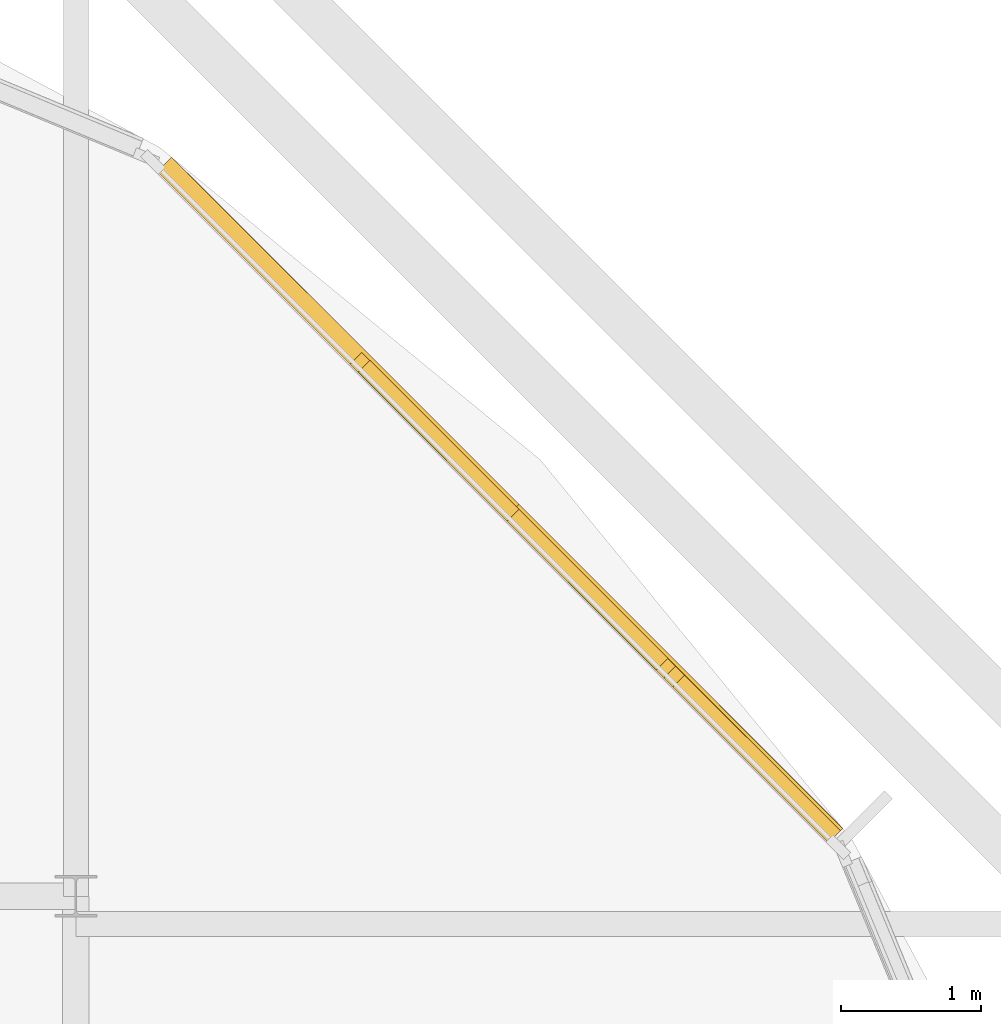
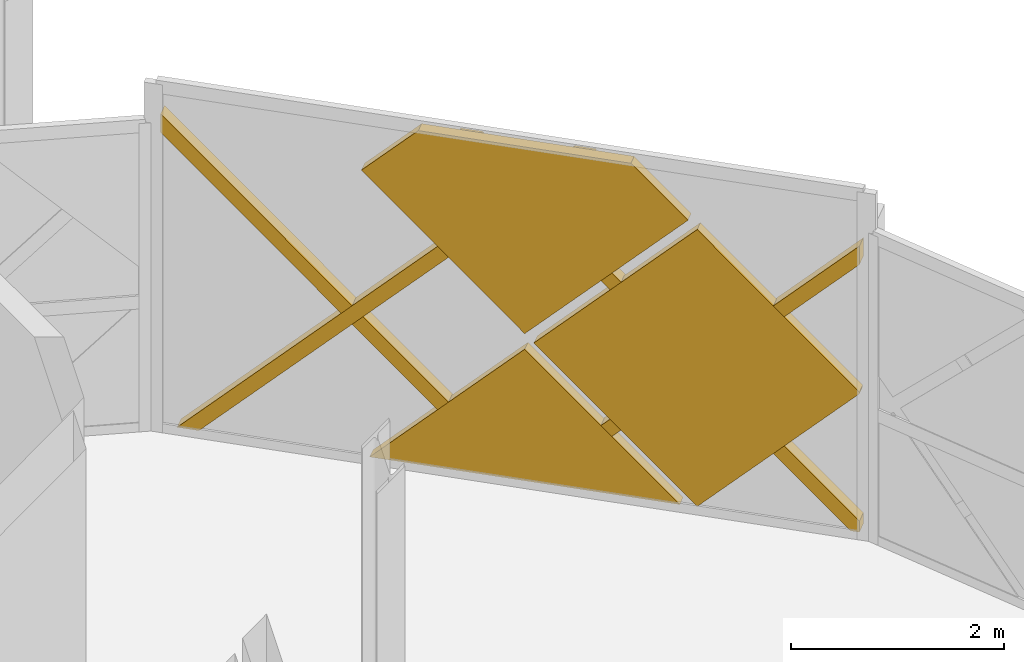
# One storey, part 15 of 15: 7 coverings.
"""IFC4 building model written with IfcOpenShell, lengths in metres."""

from ifc_helpers import new_model, si_unit, direction, frame, origin, place, context, subcontext, project, spatial, polyline, outline, extrude, material, layer, layer_set, type_object, element, save


model = new_model("IFC4")

# Units and contexts
model_context = context("Model", 3, precision=1e-05, world=origin(), true_north=direction((0.0, 1.0)))
body_context = subcontext(model_context, "Body", "Model", "MODEL_VIEW")
ifc_project = project(units=[si_unit("LENGTHUNIT", "METRE"), si_unit("AREAUNIT", "SQUARE_METRE"), si_unit("VOLUMEUNIT", "CUBIC_METRE"), si_unit("PLANEANGLEUNIT", "RADIAN"), si_unit("MASSUNIT", "GRAM", prefix="KILO")], contexts=[model_context])

# Site, building, storey
site_placement = place(None, origin())
site = spatial("IfcSite", under=ifc_project, at=site_placement, CompositionType="ELEMENT")
building_placement = place(site_placement, origin())
building = spatial("IfcBuilding", under=site, at=building_placement, Name="Zevrakil Square Congress Hotel", CompositionType="ELEMENT")
storey_placement = place(building_placement, frame((0.0, 0.0, 41.89990234375)))
storey = spatial("IfcBuildingStorey", under=building, at=storey_placement, Name="L12", CompositionType="ELEMENT", Elevation=41.89990234375)

# Coverings
ifc_material_1 = material(Name="Architectural White Fibre-C GRC", Category="concrete")
ifc_layer_1 = layer(ifc_material_1, 0.06494140625)
ifc_layer_set_1 = layer_set([ifc_layer_1], Name="Architectural White Fibre-C GRC")
covering_type_1 = type_object("IfcCoveringType", Name="COV-DIA-WHITE", PredefinedType="CLADDING", material=ifc_layer_set_1)
covering_1_placement = place(storey_placement, frame((159.175537109375, 41.373779296875, 1.590087890625), z_axis=(0.707106665659, 0.707106665659, 0.000571630288), x_axis=(-0.499716692516, 0.500288319938, -0.707103121302)))
element("IfcCovering", 1, at=covering_1_placement, inside=storey, type_object=covering_type_1, Name="L12 45-degree white GRC diamond facade cassette 3404", PredefinedType="CLADDING", context=body_context, shape_type="SweptSolid", body=[
    extrude(outline(polyline([(0.0, 0.0), (2.1354873428434074, 0.0), (-2.1408116838594893e-05, -2.1354873427360994), (0.0, 0.0)])), origin(), (0.0, 0.0, -1.0), 0.1201171875),
])
covering_2_placement = place(storey_placement, frame((160.36279296875, 40.18505859375, 3.27001953125), z_axis=(0.707106535052, 0.707106776731, 0.000595304733), x_axis=(-0.49971979827, 0.50031491144, -0.707082111645)))
element("IfcCovering", 2, at=covering_2_placement, inside=storey, type_object=covering_type_1, Name="L12 45-degree white GRC diamond facade cassette 3405", PredefinedType="CLADDING", context=body_context, shape_type="SweptSolid", body=[
    extrude(outline(polyline([(0.0, 0.0), (2.2484571129354602, 2.220446049250313e-16), (2.248351503892669, -2.248751740375009), (0.014001960771372168, -2.2484554927411113), (-0.00015349165902200923, -2.2342990575991526), (0.0, 0.0)])), origin(), (0.0, 0.0, -1.0), 0.1201171875),
])
covering_3_placement = place(storey_placement, frame((158.050537109375, 42.497314453125, 3.360107421875), z_axis=(0.707106665573, 0.707106665573, 0.000571843077), x_axis=(0.500292044309, -0.499720208238, -0.707098001609)))
element("IfcCovering", 3, at=covering_3_placement, inside=storey, type_object=covering_type_1, Name="L12 45-degree white GRC diamond facade cassette 3406", PredefinedType="CLADDING", context=body_context, shape_type="SweptSolid", body=[
    extrude(outline(polyline([(0.0, 0.0), (2.248751743939442, 2.220446049250313e-16), (2.2488068501481515, -2.248751743264246), (1.4638327213421687, -2.2485792378886744), (0.00019174135756677702, -0.7849741243430054), (0.0, 0.0)])), origin(), (0.0, 0.0, -1.0), 0.1201171875),
])
ifc_material_2 = material(Name="Anodised Champagne Aluminium", Category="aluminium")
ifc_layer_2 = layer(ifc_material_2, 0.0849609375)
ifc_layer_set_2 = layer_set([ifc_layer_2], Name="Anodised Champagne Aluminium")
covering_type_2 = type_object("IfcCoveringType", Name="COV-DIAGRID-45", PredefinedType="MOLDING", material=ifc_layer_set_2)
covering_4_placement = place(storey_placement, frame((161.438232421875, 39.147705078125, 0.080078125), z_axis=(0.706982462307, 0.70723095629, 0.000415278145), x_axis=(0.707231017251, -0.70698252329, 7.2969e-08)))
element("IfcCovering", 4, at=covering_4_placement, inside=storey, type_object=covering_type_2, Name="L12 45-degree aluminium diagrid rib 3407", PredefinedType="MOLDING", context=body_context, shape_type="SweptSolid", body=[
    extrude(outline(polyline([(0.0, 0.0), (0.08597147744014094, 0.0), (0.08597148665037267, -0.12622069224124433), (-3.6227138777198644, -3.834961538801007), (-3.8350530689876825, -3.834961538801007), (0.0, 0.0)])), origin(), (0.0, 0.0, -1.0), 0.14501953125),
])
covering_5_placement = place(storey_placement, frame((159.0625, 41.523681640625, 0.080078125), z_axis=(0.707174141017, 0.707039050196, 0.000718174092), x_axis=(0.707039232271, -0.70717432365, 5.15754e-07)))
element("IfcCovering", 5, at=covering_5_placement, inside=storey, type_object=covering_type_2, Name="L12 45-degree aluminium diagrid rib 3408", PredefinedType="MOLDING", context=body_context, shape_type="SweptSolid", body=[
    extrude(outline(polyline([(0.0, 0.0), (0.21216657657689003, 1.3552527156068805e-20), (-3.359618306229469, -3.5717799976017464), (-3.3596184156508415, -3.359621849189627), (0.0, 0.0)])), origin(), (0.0, 0.0, -1.0), 0.14501953125),
])
covering_6_placement = place(storey_placement, frame((161.497802734375, 39.08544921875, 3.154052734375), z_axis=(0.707317923309, 0.706895512992, 0.000298457923), x_axis=(-0.000211104647, -0.000210978576, 0.999999955461)))
element("IfcCovering", 6, at=covering_6_placement, inside=storey, type_object=covering_type_2, Name="L12 45-degree aluminium diagrid rib 3409", PredefinedType="MOLDING", context=body_context, shape_type="SweptSolid", body=[
    extrude(outline(polyline([(0.0, 0.0), (0.21215819367577768, -5.7505596184686484e-21), (-3.0739747462854297, -3.286078931331563), (-3.0739747651838747, -3.0740850132253446), (0.0, 0.0)])), origin(), (0.0, 0.0, -1.0), 0.14501953125),
])
covering_7_placement = place(storey_placement, frame((159.659912109375, 40.9228515625, 3.9150390625), z_axis=(0.707106660107, 0.707106660107, 0.000585204137), x_axis=(-0.707106781187, 0.707106781187, 0.0)))
element("IfcCovering", 7, at=covering_7_placement, inside=storey, type_object=covering_type_2, Name="L12 45-degree aluminium diagrid rib 3410", PredefinedType="MOLDING", context=body_context, shape_type="SweptSolid", body=[
    extrude(outline(polyline([(0.0, 0.0), (0.21233919454576503, 0.0), (4.047392208232082, -3.8349615941679738), (3.8350530136863172, -3.8349615941679738), (0.0, 0.0)])), origin(), (0.0, 0.0, -1.0), 0.14501953125),
])

save(model, "model.ifc")
